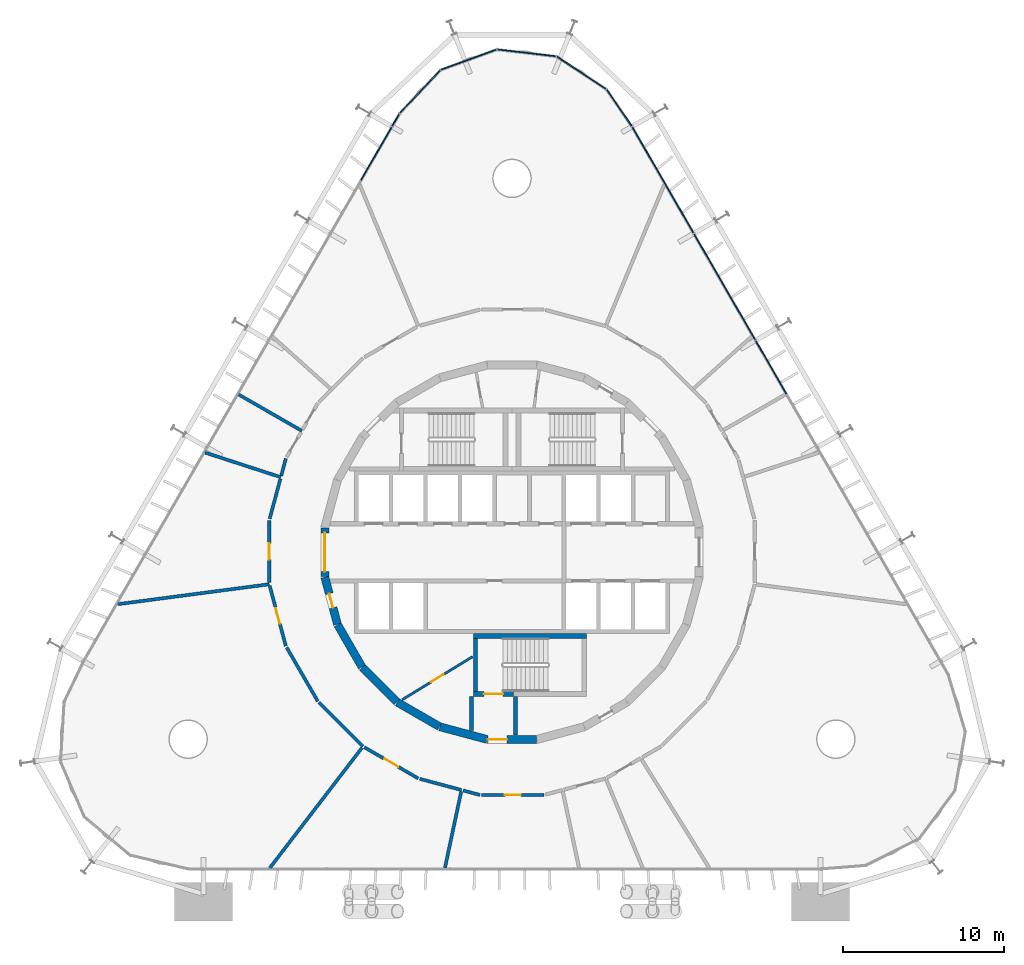
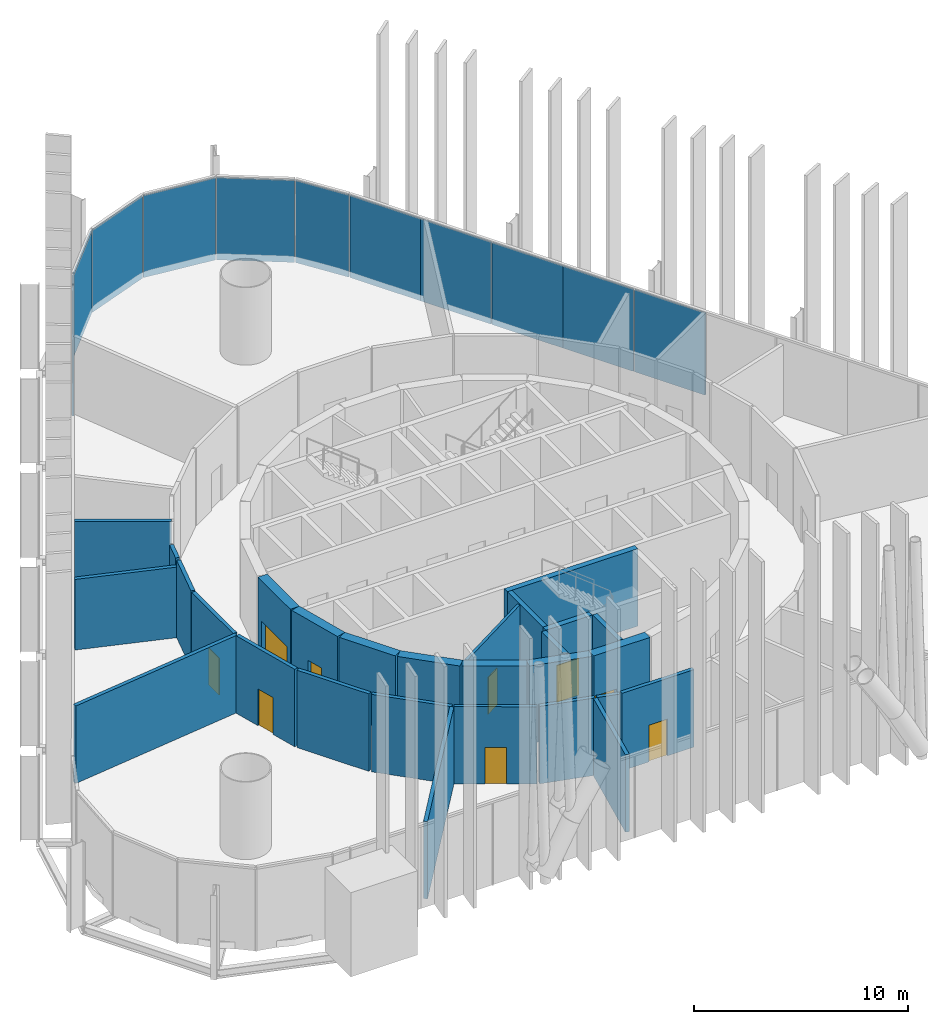
# One storey, part 13 of 17: 28 walls, 12 plates, 9 doors, 9 openings, 3 elements without a shape of their own.
"""IFC4 building model written with IfcOpenShell, lengths in metres."""

from ifc_helpers import new_model, si_unit, direction, frame, frame_2d, origin, origin_2d, place, context, subcontext, project, spatial, rectangle, extrude, material, layer, layer_set, type_object, element, fill, aggregate, save


model = new_model("IFC4")

# Units and contexts
model_context = context("Model", 3, precision=1e-05, world=origin(), true_north=direction((0.0, 1.0)))
body_context = subcontext(model_context, "Body", "Model", "MODEL_VIEW")
ifc_project = project(units=[si_unit("LENGTHUNIT", "METRE"), si_unit("AREAUNIT", "SQUARE_METRE"), si_unit("VOLUMEUNIT", "CUBIC_METRE"), si_unit("PLANEANGLEUNIT", "RADIAN"), si_unit("MASSUNIT", "GRAM", prefix="KILO")], contexts=[model_context])

# Site, building, storey
site_placement = place(None, origin())
site = spatial("IfcSite", under=ifc_project, at=site_placement, CompositionType="ELEMENT")
building_placement = place(site_placement, origin())
building = spatial("IfcBuilding", under=site, at=building_placement, Name="Spindle Arch Residences", CompositionType="ELEMENT")
storey_placement = place(building_placement, frame((0.0, 0.0, 18.60009765625)))
storey = spatial("IfcBuildingStorey", under=building, at=storey_placement, Name="L03", CompositionType="ELEMENT", Elevation=18.60009765625)

# Curtain wall, plates
ifc_material_1 = material(Name="Aluminium bronze unitised frame with tinted glass", Category="aluminium")
ifc_layer_1 = layer(ifc_material_1, 0.159912109375)
ifc_layer_set_1 = layer_set([ifc_layer_1], Name="CW-B amenity podium glazed wall")
curtain_wall_type_1 = type_object("IfcCurtainWallType", Name="CW-B amenity podium glazed wall", PredefinedType="NOTDEFINED", material=ifc_layer_set_1)
curtain_wall_1_placement = place(storey_placement, origin())
curtain_wall_1 = element("IfcCurtainWall", 1, at=curtain_wall_1_placement, inside=storey, type_object=curtain_wall_type_1, Name="CW-B L03 run 2", PredefinedType="NOTDEFINED")
ifc_material_2 = material(Name="Tinted double glazing over non-combustible spandrel zone with 0.55 mm stainless steel cavity fire stop (K0)", Category="steel")
ifc_layer_2 = layer(ifc_material_2, 0.070068359375)
ifc_layer_set_2 = layer_set([ifc_layer_2], Name="Unitised glass panel with spandrel zone and stainless cavity fire stop")
plate_type = type_object("IfcPlateType", Name="Unitised glass panel with spandrel zone and stainless cavity fire stop", PredefinedType="CURTAIN_PANEL", material=ifc_layer_set_2)
plate_1_placement = place(storey_placement, frame((16.11669921875, 11.504638671875, -0.3798828125), z_axis=(0.0, 0.0, 1.0), x_axis=(-0.5, 0.866025403784, 0.0)))
plate_1 = element("IfcPlate", 2, at=plate_1_placement, type_object=plate_type, Name="CW-B unit 07B", PredefinedType="CURTAIN_PANEL", context=body_context, shape_type="SweptSolid", body=[
    extrude(rectangle(XDim=3.81005859375, YDim=0.070068359375, at=origin_2d()), origin(), (0.0, 0.0, 1.0), 4.679931640625),
])
plate_2_placement = place(storey_placement, frame((14.181640625, 14.856201171875, -0.3798828125), z_axis=(0.0, 0.0, 1.0), x_axis=(-0.5, 0.866025403784, 0.0)))
plate_2 = element("IfcPlate", 3, at=plate_2_placement, type_object=plate_type, Name="CW-B unit 08A", PredefinedType="CURTAIN_PANEL", context=body_context, shape_type="SweptSolid", body=[
    extrude(rectangle(XDim=3.81005859375, YDim=0.070068359375, at=origin_2d()), origin(), (0.0, 0.0, 1.0), 4.679931640625),
])
plate_3_placement = place(storey_placement, frame((12.27685546875, 18.156005859375, -0.3798828125), z_axis=(0.0, 0.0, 1.0), x_axis=(-0.5, 0.866025403784, 0.0)))
plate_3 = element("IfcPlate", 4, at=plate_3_placement, type_object=plate_type, Name="CW-B unit 08B", PredefinedType="CURTAIN_PANEL", context=body_context, shape_type="SweptSolid", body=[
    extrude(rectangle(XDim=3.81005859375, YDim=0.070068359375, at=origin_2d()), origin(), (0.0, 0.0, 1.0), 4.679931640625),
])
plate_4_placement = place(storey_placement, frame((10.341796875, 21.50732421875, -0.3798828125), z_axis=(0.0, 0.0, 1.0), x_axis=(-0.5, 0.866025403784, 0.0)))
plate_4 = element("IfcPlate", 5, at=plate_4_placement, type_object=plate_type, Name="CW-B unit 09A", PredefinedType="CURTAIN_PANEL", context=body_context, shape_type="SweptSolid", body=[
    extrude(rectangle(XDim=3.81005859375, YDim=0.070068359375, at=origin_2d()), origin(), (0.0, 0.0, 1.0), 4.679931640625),
])
plate_5_placement = place(storey_placement, frame((8.436767578125, 24.80712890625, -0.3798828125), z_axis=(0.0, 0.0, 1.0), x_axis=(-0.5, 0.866025403784, 0.0)))
plate_5 = element("IfcPlate", 6, at=plate_5_placement, type_object=plate_type, Name="CW-B unit 09B", PredefinedType="CURTAIN_PANEL", context=body_context, shape_type="SweptSolid", body=[
    extrude(rectangle(XDim=3.81005859375, YDim=0.070068359375, at=origin_2d()), origin(), (0.0, 0.0, 1.0), 4.679931640625),
])
aggregate(curtain_wall_1, [plate_1, plate_2, plate_3, plate_4, plate_5])

ifc_material_3 = material(Name="Aluminium bronze unitised frame with tinted glass", Category="aluminium")
ifc_layer_3 = layer(ifc_material_3, 0.159912109375)
ifc_layer_set_3 = layer_set([ifc_layer_3], Name="CW-D corner wall on the fillet arcs")
curtain_wall_type_2 = type_object("IfcCurtainWallType", Name="CW-D corner wall on the fillet arcs", PredefinedType="NOTDEFINED", material=ifc_layer_set_3)
curtain_wall_2_placement = place(storey_placement, origin())
curtain_wall_2 = element("IfcCurtainWall", 7, at=curtain_wall_2_placement, inside=storey, type_object=curtain_wall_type_2, Name="CW-D L03 run 3", PredefinedType="NOTDEFINED")
plate_6_placement = place(storey_placement, frame((6.673095703125, 27.643798828125, -0.3798828125), z_axis=(0.0, 0.0, 1.0), x_axis=(-0.565500718711, 0.824747802142, 0.0)))
plate_6 = element("IfcPlate", 8, at=plate_6_placement, type_object=plate_type, Name="CW-D unit 00", PredefinedType="CURTAIN_PANEL", context=body_context, shape_type="SweptSolid", body=[
    extrude(rectangle(XDim=2.755126953125, YDim=0.070068359375, at=origin_2d()), origin(), (0.0, 0.0, 1.0), 4.679931640625),
])
plate_7_placement = place(storey_placement, frame((4.3203125, 29.82861328125, -0.3798828125), z_axis=(0.0, 0.0, 1.0), x_axis=(-0.835487811704, 0.549508977628, 0.0)))
plate_7 = element("IfcPlate", 9, at=plate_7_placement, type_object=plate_type, Name="CW-D unit 01", PredefinedType="CURTAIN_PANEL", context=body_context, shape_type="SweptSolid", body=[
    extrude(rectangle(XDim=3.666748046875, YDim=0.070068359375, at=origin_2d()), origin(), (0.0, 0.0, 1.0), 4.679931640625),
])
plate_8_placement = place(storey_placement, frame((0.912841796875, 31.06884765625, -0.3798828125), z_axis=(0.0, 0.0, 1.0), x_axis=(-0.993238357591, 0.116092915414, 0.0)))
plate_8 = element("IfcPlate", 10, at=plate_8_placement, type_object=plate_type, Name="CW-D unit 02", PredefinedType="CURTAIN_PANEL", context=body_context, shape_type="SweptSolid", body=[
    extrude(rectangle(XDim=3.666748046875, YDim=0.070068359375, at=origin_2d()), origin(), (0.0, 0.0, 1.0), 4.679931640625),
])
plate_9_placement = place(storey_placement, frame((-2.68896484375, 30.64794921875, -0.3798828125), z_axis=(0.0, 0.0, 1.0), x_axis=(-0.939692621437, -0.342020141538, 0.0)))
plate_9 = element("IfcPlate", 11, at=plate_9_placement, type_object=plate_type, Name="CW-D unit 03", PredefinedType="CURTAIN_PANEL", context=body_context, shape_type="SweptSolid", body=[
    extrude(rectangle(XDim=3.666748046875, YDim=0.070068359375, at=origin_2d()), origin(), (0.0, 0.0, 1.0), 4.679931640625),
])
plate_10_placement = place(storey_placement, frame((-5.71875, 28.6552734375, -0.3798828125), z_axis=(0.0, 0.0, 1.0), x_axis=(-0.686241639236, -0.727373640284, 0.0)))
plate_10 = element("IfcPlate", 12, at=plate_10_placement, type_object=plate_type, Name="CW-D unit 04", PredefinedType="CURTAIN_PANEL", context=body_context, shape_type="SweptSolid", body=[
    extrude(rectangle(XDim=3.666748046875, YDim=0.070068359375, at=origin_2d()), origin(), (0.0, 0.0, 1.0), 4.679931640625),
])
plate_11_placement = place(storey_placement, frame((-7.2333984375, 26.891357421875, -0.3798828125), z_axis=(0.0, 0.0, 1.0), x_axis=(-0.5, -0.866025403784, 0.0)))
plate_11 = element("IfcPlate", 13, at=plate_11_placement, type_object=plate_type, Name="CW-D unit 05", PredefinedType="CURTAIN_PANEL", context=body_context, shape_type="SweptSolid", body=[
    extrude(rectangle(XDim=0.88330078125, YDim=0.070068359375, at=origin_2d()), origin(), (0.0, 0.0, 1.0), 4.679931640625),
])
aggregate(curtain_wall_2, [plate_6, plate_7, plate_8, plate_9, plate_10, plate_11])

# Curtain wall, plate
curtain_wall_3_placement = place(storey_placement, origin())
curtain_wall_3 = element("IfcCurtainWall", 14, at=curtain_wall_3_placement, inside=storey, type_object=curtain_wall_type_1, Name="CW-B L03 run 4", PredefinedType="NOTDEFINED")
plate_12_placement = place(storey_placement, frame((-8.436767578125, 24.80712890625, -0.3798828125), z_axis=(0.0, 0.0, 1.0), x_axis=(-0.5, -0.866025403784, 0.0)))
plate_12 = element("IfcPlate", 15, at=plate_12_placement, type_object=plate_type, Name="CW-B unit 13A", PredefinedType="CURTAIN_PANEL", context=body_context, shape_type="SweptSolid", body=[
    extrude(rectangle(XDim=3.81005859375, YDim=0.070068359375, at=origin_2d()), origin(), (0.0, 0.0, 1.0), 4.679931640625),
])
aggregate(curtain_wall_3, [plate_12])

# Wall, opening, door
ifc_material_4 = material(Name="Concrete C50/60", Category="concrete")
ifc_layer_4 = layer(ifc_material_4, 0.5)
ifc_layer_set_4 = layer_set([ifc_layer_4], Name="Core outline wall 500")
wall_type_1 = type_object("IfcWallType", Name="Core outline wall 500", PredefinedType="SHEAR", material=ifc_layer_set_4)
wall_1_placement = place(storey_placement, frame((-11.647216796875, 1.516357421875, 0.0), z_axis=(0.0, 0.0, 1.0), x_axis=(0.0, -1.0, 0.0)))
wall_1 = element("IfcWall", 16, at=wall_1_placement, inside=storey, type_object=wall_type_1, Name="Core outline wall 18", PredefinedType="SHEAR", context=body_context, shape_type="SweptSolid", body=[
    extrude(rectangle(XDim=3.03271484375, YDim=0.5, at=frame_2d((1.516357421875, 0.0))), origin(), (0.0, 0.0, 1.0), 4.419921875),
])
opening_1_placement = place(wall_1_placement, frame((0.31640625, 0.0, 0.0)))
opening_1 = element("IfcOpeningElement", 17, at=opening_1_placement, cuts=wall_1, Name="Opening L03-LE01", PredefinedType="OPENING", context=body_context, shape_type="SweptSolid", body=[
    extrude(rectangle(XDim=2.39990234375, YDim=2.10009765625, at=frame_2d((1.199951171875, 1.050048828125))), frame((0.0, 0.260009765625, 0.0), z_axis=(0.0, -1.0, 0.0), x_axis=(1.0, 0.0, 0.0)), (0.0, 0.0, 1.0), 0.52001953125),
])
ifc_material_5 = material(Name="Steel, fire-resisting door", Category="steel")
door_type_1 = type_object("IfcDoorType", Name="Lift lobby entrance door 2400x2100", OperationType="DOUBLE_DOOR_SINGLE_SWING", PredefinedType="DOOR", material=ifc_material_5)
door_1_placement = place(opening_1_placement, origin())
door_1 = element("IfcDoor", 18, at=door_1_placement, inside=storey, type_object=door_type_1, Name="Lift lobby entrance door L03-LE01", OperationType="DOUBLE_DOOR_SINGLE_SWING", OverallHeight=2.10009765625, OverallWidth=2.39990234375, PredefinedType="DOOR", context=body_context, shape_type="SweptSolid", body=[
    extrude(rectangle(XDim=2.39990234375, YDim=2.10009765625, at=frame_2d((1.199951171875, 1.050048828125))), frame((0.0, 0.02490234375, 0.0), z_axis=(0.0, -1.0, 0.0), x_axis=(1.0, 0.0, 0.0)), (0.0, 0.0, 1.0), 0.050048828125),
])
fill(opening_1, door_1)

wall_2_placement = place(storey_placement, frame((-11.642822265625, -1.5498046875, 0.0), z_axis=(0.0, 0.0, 1.0), x_axis=(0.258734743916, -0.965948410781, 0.0)))
wall_2 = element("IfcWall", 19, at=wall_2_placement, inside=storey, type_object=wall_type_1, Name="Core outline wall 19", PredefinedType="SHEAR", context=body_context, shape_type="SweptSolid", body=[
    extrude(rectangle(XDim=3.03271484375, YDim=0.5, at=frame_2d((1.516357421875, 0.0))), origin(), (0.0, 0.0, 1.0), 4.419921875),
])
opening_2_placement = place(wall_2_placement, frame((1.06640625, 0.0, 0.0)))
opening_2 = element("IfcOpeningElement", 20, at=opening_2_placement, cuts=wall_2, Name="Opening L03-WD09", PredefinedType="OPENING", context=body_context, shape_type="SweptSolid", body=[
    extrude(rectangle(XDim=0.89990234375, YDim=2.10009765625, at=frame_2d((0.449951171875, 1.050048828125))), frame((0.0, 0.260009765625, 0.0), z_axis=(0.0, -1.0, 0.0), x_axis=(1.0, 0.0, 0.0)), (0.0, 0.0, 1.0), 0.52001953125),
])
ifc_material_6 = material(Name="Steel, fire-resisting door", Category="steel")
door_type_2 = type_object("IfcDoorType", Name="Service room door 900x2100", OperationType="SINGLE_SWING_LEFT", PredefinedType="DOOR", material=ifc_material_6)
door_2_placement = place(opening_2_placement, origin())
door_2 = element("IfcDoor", 21, at=door_2_placement, inside=storey, type_object=door_type_2, Name="Service room door L03-WD09", OperationType="SINGLE_SWING_RIGHT", OverallHeight=2.10009765625, OverallWidth=0.89990234375, PredefinedType="DOOR", context=body_context, shape_type="SweptSolid", body=[
    extrude(rectangle(XDim=0.89990234375, YDim=2.10009765625, at=frame_2d((0.449951171875, 1.050048828125))), frame((0.0, 0.02490234375, 0.0), z_axis=(0.0, -1.0, 0.0), x_axis=(1.0, 0.0, 0.0)), (0.0, 0.0, 1.0), 0.050048828125),
])
fill(opening_2, door_2)

# Walls
wall_3_placement = place(storey_placement, frame((-10.84521484375, -4.510498046875, 0.0), z_axis=(0.0, 0.0, 1.0), x_axis=(0.500087131594, -0.865975092491, 0.0)))
element("IfcWall", 22, at=wall_3_placement, inside=storey, type_object=wall_type_1, Name="Core outline wall 20", PredefinedType="SHEAR", context=body_context, shape_type="SweptSolid", body=[
    extrude(rectangle(XDim=3.03271484375, YDim=0.5, at=frame_2d((1.516357421875, 0.0))), origin(), (0.0, 0.0, 1.0), 4.419921875),
])
wall_4_placement = place(storey_placement, frame((-9.30810546875, -7.163818359375, 0.0), z_axis=(0.0, 0.0, 1.0), x_axis=(0.707106781187, -0.707106781187, 0.0)))
element("IfcWall", 23, at=wall_4_placement, inside=storey, type_object=wall_type_1, Name="Core outline wall 21", PredefinedType="SHEAR", context=body_context, shape_type="SweptSolid", body=[
    extrude(rectangle(XDim=3.032470703125, YDim=0.5, at=frame_2d((1.51611328125, 0.0))), origin(), (0.0, 0.0, 1.0), 4.419921875),
])
for number, where, z_axis, x_axis, name in (
    (24, (-7.13671875, -9.32861328125, 0.0), (0.0, 0.0, 1.0), (0.865975092491, -0.500087131594, 0.0), "Core outline wall 22"),
    (25, (-4.479248046875, -10.858154296875, 0.0), (0.0, 0.0, 1.0), (0.965948410781, -0.258734743916, 0.0), "Core outline wall 23"),
):
    element("IfcWall", number, at=place(storey_placement, frame(where, z_axis=z_axis, x_axis=x_axis)), inside=storey, type_object=wall_type_1, Name=name, PredefinedType="SHEAR", context=body_context, shape_type="SweptSolid", body=[
        extrude(rectangle(XDim=3.03271484375, YDim=0.5, at=frame_2d((1.516357421875, 0.0))), origin(), (0.0, 0.0, 1.0), 4.419921875),
    ])

# Wall, opening, door
wall_5_placement = place(storey_placement, frame((-1.516357421875, -11.647216796875, 0.0), z_axis=(0.0, 0.0, 1.0), x_axis=(1.0, 0.0, 0.0)))
wall_5 = element("IfcWall", 26, at=wall_5_placement, inside=storey, type_object=wall_type_1, Name="Core outline wall 24", PredefinedType="SHEAR", context=body_context, shape_type="SweptSolid", body=[
    extrude(rectangle(XDim=3.03271484375, YDim=0.5, at=frame_2d((1.516357421875, 0.0))), origin(), (0.0, 0.0, 1.0), 4.419921875),
])
opening_3_placement = place(wall_5_placement, frame((0.016357421875, 0.0, 0.0)))
opening_3 = element("IfcOpeningElement", 27, at=opening_3_placement, cuts=wall_5, Name="Opening L03-AD03", PredefinedType="OPENING", context=body_context, shape_type="SweptSolid", body=[
    extrude(rectangle(XDim=1.199951171875, YDim=2.10009765625, at=frame_2d((0.60009765625, 1.050048828125))), frame((0.0, 0.260009765625, 0.0), z_axis=(0.0, -1.0, 0.0), x_axis=(1.0, 0.0, 0.0)), (0.0, 0.0, 1.0), 0.52001953125),
])
ifc_material_7 = material(Name="Steel, fire-resisting door", Category="steel")
door_type_3 = type_object("IfcDoorType", Name="Stair airlock door 1200x2100", OperationType="SINGLE_SWING_LEFT", PredefinedType="DOOR", material=ifc_material_7)
door_3_placement = place(opening_3_placement, origin())
door_3 = element("IfcDoor", 28, at=door_3_placement, inside=storey, type_object=door_type_3, Name="Stair airlock door L03-AD03", OperationType="SINGLE_SWING_RIGHT", OverallHeight=2.10009765625, OverallWidth=1.199951171875, PredefinedType="DOOR", context=body_context, shape_type="SweptSolid", body=[
    extrude(rectangle(XDim=1.199951171875, YDim=2.10009765625, at=frame_2d((0.60009765625, 1.050048828125))), frame((0.0, 0.02490234375, 0.0), z_axis=(0.0, -1.0, 0.0), x_axis=(1.0, 0.0, 0.0)), (0.0, 0.0, 1.0), 0.050048828125),
])
fill(opening_3, door_3)

# Wall
ifc_material_8 = material(Name="Gypsum board partition on steel studs", Category="steel")
ifc_layer_5 = layer(ifc_material_8, 0.199951171875)
ifc_layer_set_5 = layer_set([ifc_layer_5], Name="Partition EI 60 200 amenity")
wall_type_2 = type_object("IfcWallType", Name="Partition EI 60 200 amenity", PredefinedType="PARTITIONING", material=ifc_layer_set_5)
wall_6_placement = place(storey_placement, frame((-15.10009765625, -1.989990234375, 0.0), z_axis=(0.0, 0.0, 1.0), x_axis=(-0.99146503856, -0.130372839634, 0.0)))
element("IfcWall", 29, at=wall_6_placement, inside=storey, type_object=wall_type_2, Name="L03-W001", PredefinedType="PARTITIONING", context=body_context, shape_type="SweptSolid", body=[
    extrude(rectangle(XDim=9.51123046875, YDim=0.199951171875, at=frame_2d((4.755615234375, 0.0))), origin(), (0.0, 0.0, 1.0), 4.419921875),
])

# Wall, opening, door
wall_7_placement = place(storey_placement, frame((-15.073974609375, -2.086669921875, 0.0), z_axis=(0.0, 0.0, 1.0), x_axis=(0.259026804199, -0.965870133458, 0.0)))
wall_7 = element("IfcWall", 30, at=wall_7_placement, inside=storey, type_object=wall_type_2, Name="L03-W002", PredefinedType="PARTITIONING", context=body_context, shape_type="SweptSolid", body=[
    extrude(rectangle(XDim=3.875732421875, YDim=0.199951171875, at=frame_2d((1.93798828125, 0.0))), origin(), (0.0, 0.0, 1.0), 4.419921875),
])
opening_4_placement = place(wall_7_placement, frame((1.43798828125, 0.0, 0.0)))
opening_4 = element("IfcOpeningElement", 31, at=opening_4_placement, cuts=wall_7, Name="Opening L03-D06", PredefinedType="OPENING", context=body_context, shape_type="SweptSolid", body=[
    extrude(rectangle(XDim=1.0, YDim=2.10009765625, at=frame_2d((0.5, 1.050048828125))), frame((0.0, 0.10986328125, 0.0), z_axis=(0.0, -1.0, 0.0), x_axis=(1.0, 0.0, 0.0)), (0.0, 0.0, 1.0), 0.219970703125),
])
ifc_material_9 = material(Name="Timber door leaf", Category="wood")
door_type_4 = type_object("IfcDoorType", Name="Door 1000x2100 EI 30", OperationType="SINGLE_SWING_LEFT", PredefinedType="DOOR", material=ifc_material_9)
door_4_placement = place(opening_4_placement, origin())
door_4 = element("IfcDoor", 32, at=door_4_placement, inside=storey, type_object=door_type_4, Name="L03-D06", OperationType="SINGLE_SWING_LEFT", OverallHeight=2.10009765625, OverallWidth=1.0, PredefinedType="DOOR", context=body_context, shape_type="SweptSolid", body=[
    extrude(rectangle(XDim=1.0, YDim=2.10009765625, at=frame_2d((0.5, 1.050048828125))), frame((0.0, 0.02490234375, 0.0), z_axis=(0.0, -1.0, 0.0), x_axis=(1.0, 0.0, 0.0)), (0.0, 0.0, 1.0), 0.050048828125),
])
fill(opening_4, door_4)

wall_8_placement = place(storey_placement, frame((-15.10009765625, 1.989990234375, 0.0), z_axis=(0.0, 0.0, 1.0), x_axis=(0.0, -1.0, 0.0)))
wall_8 = element("IfcWall", 33, at=wall_8_placement, inside=storey, type_object=wall_type_2, Name="L03-W003", PredefinedType="PARTITIONING", context=body_context, shape_type="SweptSolid", body=[
    extrude(rectangle(XDim=3.8798828125, YDim=0.199951171875, at=frame_2d((1.93994140625, 0.0))), origin(), (0.0, 0.0, 1.0), 4.419921875),
])
opening_5_placement = place(wall_8_placement, frame((1.43994140625, 0.0, 0.0)))
opening_5 = element("IfcOpeningElement", 34, at=opening_5_placement, cuts=wall_8, Name="Opening L03-D08", PredefinedType="OPENING", context=body_context, shape_type="SweptSolid", body=[
    extrude(rectangle(XDim=1.0, YDim=2.10009765625, at=frame_2d((0.5, 1.050048828125))), frame((0.0, 0.10986328125, 0.0), z_axis=(0.0, -1.0, 0.0), x_axis=(1.0, 0.0, 0.0)), (0.0, 0.0, 1.0), 0.219970703125),
])
door_5_placement = place(opening_5_placement, origin())
door_5 = element("IfcDoor", 35, at=door_5_placement, inside=storey, type_object=door_type_4, Name="L03-D08", OperationType="SINGLE_SWING_LEFT", OverallHeight=2.10009765625, OverallWidth=1.0, PredefinedType="DOOR", context=body_context, shape_type="SweptSolid", body=[
    extrude(rectangle(XDim=1.0, YDim=2.10009765625, at=frame_2d((0.5, 1.050048828125))), frame((0.0, 0.02490234375, 0.0), z_axis=(0.0, -1.0, 0.0), x_axis=(1.0, 0.0, 0.0)), (0.0, 0.0, 1.0), 0.050048828125),
])
fill(opening_5, door_5)

# Walls
wall_9_placement = place(storey_placement, frame((-14.3798828125, 4.669921875, 0.0), z_axis=(0.0, 0.0, 1.0), x_axis=(-0.951080790776, 0.308942275219, 0.0)))
element("IfcWall", 36, at=wall_9_placement, inside=storey, type_object=wall_type_2, Name="L03-W004", PredefinedType="PARTITIONING", context=body_context, shape_type="SweptSolid", body=[
    extrude(rectangle(XDim=4.952392578125, YDim=0.199951171875, at=frame_2d((2.47607421875, 0.0))), origin(), (0.0, 0.0, 1.0), 4.02978515625),
])
wall_10_placement = place(storey_placement, frame((-14.406005859375, 4.573486328125, 0.0), z_axis=(0.0, 0.0, 1.0), x_axis=(-0.259408996071, -0.965767556277, 0.0)))
element("IfcWall", 37, at=wall_10_placement, inside=storey, type_object=wall_type_2, Name="L03-W005", PredefinedType="PARTITIONING", context=body_context, shape_type="SweptSolid", body=[
    extrude(rectangle(XDim=2.574951171875, YDim=0.199951171875, at=frame_2d((1.28759765625, 0.0))), origin(), (0.0, 0.0, 1.0), 4.419921875),
])
wall_11_placement = place(storey_placement, frame((-14.02001953125, -5.91650390625, 0.0), z_axis=(0.0, 0.0, 1.0), x_axis=(0.500733182901, -0.865601686425, 0.0)))
element("IfcWall", 38, at=wall_11_placement, inside=storey, type_object=wall_type_2, Name="L03-W006", PredefinedType="PARTITIONING", context=body_context, shape_type="SweptSolid", body=[
    extrude(rectangle(XDim=3.874267578125, YDim=0.199951171875, at=frame_2d((1.93701171875, 0.0))), origin(), (0.0, 0.0, 1.0), 4.419921875),
])
wall_12_placement = place(storey_placement, frame((-14.070068359375, 5.830078125, 0.0), z_axis=(0.0, 0.0, 1.0), x_axis=(-0.258159565639, -0.966102292032, 0.0)))
element("IfcWall", 39, at=wall_12_placement, inside=storey, type_object=wall_type_2, Name="L03-W007", PredefinedType="PARTITIONING", context=body_context, shape_type="SweptSolid", body=[
    extrude(rectangle(XDim=1.100830078125, YDim=0.199951171875, at=frame_2d((0.55029296875, 0.0))), origin(), (0.0, 0.0, 1.0), 4.419921875),
])
wall_13_placement = place(storey_placement, frame((-13.070068359375, 7.550048828125, 0.0), z_axis=(0.0, 0.0, 1.0), x_axis=(-0.866877794005, 0.498520701938, 0.0)))
element("IfcWall", 40, at=wall_13_placement, inside=storey, type_object=wall_type_2, Name="L03-W008", PredefinedType="PARTITIONING", context=body_context, shape_type="SweptSolid", body=[
    extrude(rectangle(XDim=4.533447265625, YDim=0.199951171875, at=frame_2d((2.2666015625, 0.0))), origin(), (0.0, 0.0, 1.0), 4.419921875),
])
wall_14_placement = place(storey_placement, frame((-12.00927734375, -9.3408203125, 0.0), z_axis=(0.0, 0.0, 1.0), x_axis=(0.707106781187, -0.707106781187, 0.0)))
element("IfcWall", 41, at=wall_14_placement, inside=storey, type_object=wall_type_2, Name="L03-W010", PredefinedType="PARTITIONING", context=body_context, shape_type="SweptSolid", body=[
    extrude(rectangle(XDim=3.873779296875, YDim=0.199951171875, at=frame_2d((1.93701171875, 0.0))), origin(), (0.0, 0.0, 1.0), 4.419921875),
])
wall_15_placement = place(storey_placement, frame((-9.330810546875, -12.159423828125, 0.0), z_axis=(0.0, 0.0, 1.0), x_axis=(-0.608558385637, -0.793509099677, 0.0)))
element("IfcWall", 42, at=wall_15_placement, inside=storey, type_object=wall_type_2, Name="L03-W014", PredefinedType="PARTITIONING", context=body_context, shape_type="SweptSolid", body=[
    extrude(rectangle(XDim=9.41455078125, YDim=0.199951171875, at=frame_2d((4.707275390625, 0.0))), origin(), (0.0, 0.0, 1.0), 4.419921875),
])

# Wall, opening, door
wall_16_placement = place(storey_placement, frame((-9.183349609375, -12.130126953125, 0.0), z_axis=(0.0, 0.0, 1.0), x_axis=(0.865585884642, -0.500760497952, 0.0)))
wall_16 = element("IfcWall", 43, at=wall_16_placement, inside=storey, type_object=wall_type_2, Name="L03-W015", PredefinedType="PARTITIONING", context=body_context, shape_type="SweptSolid", body=[
    extrude(rectangle(XDim=3.8740234375, YDim=0.199951171875, at=frame_2d((1.93701171875, 0.0))), origin(), (0.0, 0.0, 1.0), 4.419921875),
])
opening_6_placement = place(wall_16_placement, frame((1.43701171875, 0.0, 0.0)))
opening_6 = element("IfcOpeningElement", 44, at=opening_6_placement, cuts=wall_16, Name="Opening L03-D03", PredefinedType="OPENING", context=body_context, shape_type="SweptSolid", body=[
    extrude(rectangle(XDim=1.0, YDim=2.10009765625, at=frame_2d((0.5, 1.050048828125))), frame((0.0, 0.10986328125, 0.0), z_axis=(0.0, -1.0, 0.0), x_axis=(1.0, 0.0, 0.0)), (0.0, 0.0, 1.0), 0.219970703125),
])
door_6_placement = place(opening_6_placement, origin())
door_6 = element("IfcDoor", 45, at=door_6_placement, inside=storey, type_object=door_type_4, Name="L03-D03", OperationType="SINGLE_SWING_LEFT", OverallHeight=2.10009765625, OverallWidth=1.0, PredefinedType="DOOR", context=body_context, shape_type="SweptSolid", body=[
    extrude(rectangle(XDim=1.0, YDim=2.10009765625, at=frame_2d((0.5, 1.050048828125))), frame((0.0, 0.02490234375, 0.0), z_axis=(0.0, -1.0, 0.0), x_axis=(1.0, 0.0, 0.0)), (0.0, 0.0, 1.0), 0.050048828125),
])
fill(opening_6, door_6)

# Walls
wall_17_placement = place(storey_placement, frame((-5.7333984375, -14.095947265625, 0.0), z_axis=(0.0, 0.0, 1.0), x_axis=(0.966003629213, -0.25852850587, 0.0)))
element("IfcWall", 46, at=wall_17_placement, inside=storey, type_object=wall_type_2, Name="L03-W017", PredefinedType="PARTITIONING", context=body_context, shape_type="SweptSolid", body=[
    extrude(rectangle(XDim=2.684814453125, YDim=0.199951171875, at=frame_2d((1.34228515625, 0.0))), origin(), (0.0, 0.0, 1.0), 4.419921875),
])
wall_18_placement = place(storey_placement, frame((-3.160888671875, -14.8876953125, 0.0), z_axis=(0.0, 0.0, 1.0), x_axis=(-0.208118919353, -0.978103530005, 0.0)))
element("IfcWall", 47, at=wall_18_placement, inside=storey, type_object=wall_type_2, Name="L03-W020", PredefinedType="PARTITIONING", context=body_context, shape_type="SweptSolid", body=[
    extrude(rectangle(XDim=4.848388671875, YDim=0.199951171875, at=frame_2d((2.42431640625, 0.0))), origin(), (0.0, 0.0, 1.0), 4.419921875),
])
wall_19_placement = place(storey_placement, frame((-3.04345703125, -14.81591796875, 0.0), z_axis=(0.0, 0.0, 1.0), x_axis=(0.965488181203, -0.260446869738, 0.0)))
element("IfcWall", 48, at=wall_19_placement, inside=storey, type_object=wall_type_2, Name="L03-W021", PredefinedType="PARTITIONING", context=body_context, shape_type="SweptSolid", body=[
    extrude(rectangle(XDim=1.091064453125, YDim=0.199951171875, at=frame_2d((0.54541015625, 0.0))), origin(), (0.0, 0.0, 1.0), 4.419921875),
])

# Wall, opening, door
wall_20_placement = place(storey_placement, frame((-1.889892578125, -15.10009765625, 0.0), z_axis=(0.0, 0.0, 1.0), x_axis=(1.0, 0.0, 0.0)))
wall_20 = element("IfcWall", 49, at=wall_20_placement, inside=storey, type_object=wall_type_2, Name="L03-W022", PredefinedType="PARTITIONING", context=body_context, shape_type="SweptSolid", body=[
    extrude(rectangle(XDim=3.8798828125, YDim=0.199951171875, at=frame_2d((1.93994140625, 0.0))), origin(), (0.0, 0.0, 1.0), 4.419921875),
])
opening_7_placement = place(wall_20_placement, frame((1.43994140625, 0.0, 0.0)))
opening_7 = element("IfcOpeningElement", 50, at=opening_7_placement, cuts=wall_20, Name="Opening L03-D01", PredefinedType="OPENING", context=body_context, shape_type="SweptSolid", body=[
    extrude(rectangle(XDim=1.0, YDim=2.10009765625, at=frame_2d((0.5, 1.050048828125))), frame((0.0, 0.10986328125, 0.0), z_axis=(0.0, -1.0, 0.0), x_axis=(1.0, 0.0, 0.0)), (0.0, 0.0, 1.0), 0.219970703125),
])
door_7_placement = place(opening_7_placement, origin())
door_7 = element("IfcDoor", 51, at=door_7_placement, inside=storey, type_object=door_type_4, Name="L03-D01", OperationType="SINGLE_SWING_LEFT", OverallHeight=2.10009765625, OverallWidth=1.0, PredefinedType="DOOR", context=body_context, shape_type="SweptSolid", body=[
    extrude(rectangle(XDim=1.0, YDim=2.10009765625, at=frame_2d((0.5, 1.050048828125))), frame((0.0, 0.02490234375, 0.0), z_axis=(0.0, -1.0, 0.0), x_axis=(1.0, 0.0, 0.0)), (0.0, 0.0, 1.0), 0.050048828125),
])
fill(opening_7, door_7)

ifc_material_10 = material(Name="Concrete C25/30", Category="concrete")
ifc_layer_6 = layer(ifc_material_10, 0.14990234375)
ifc_layer_set_6 = layer_set([ifc_layer_6], Name="Service room partition 150")
wall_type_3 = type_object("IfcWallType", Name="Service room partition 150", PredefinedType="PARTITIONING", material=ifc_layer_set_6)
wall_21_placement = place(storey_placement, frame((-2.451171875, -6.49462890625, 0.0), z_axis=(0.0, 0.0, 1.0), x_axis=(-0.853250115418, -0.521501908471, 0.0)))
wall_21 = element("IfcWall", 52, at=wall_21_placement, inside=storey, type_object=wall_type_3, Name="Core service room partition", PredefinedType="PARTITIONING", context=body_context, shape_type="SweptSolid", body=[
    extrude(rectangle(XDim=5.137451171875, YDim=0.14990234375, at=frame_2d((2.56884765625, 0.0))), origin(), (0.0, 0.0, 1.0), 4.419921875),
])
opening_8_placement = place(wall_21_placement, frame((2.11865234375, 0.0, 0.0)))
opening_8 = element("IfcOpeningElement", 53, at=opening_8_placement, cuts=wall_21, Name="Opening L03-WD05", PredefinedType="OPENING", context=body_context, shape_type="SweptSolid", body=[
    extrude(rectangle(XDim=0.89990234375, YDim=2.10009765625, at=frame_2d((0.449951171875, 1.050048828125))), frame((0.0, 0.0849609375, 0.0), z_axis=(0.0, -1.0, 0.0), x_axis=(1.0, 0.0, 0.0)), (0.0, 0.0, 1.0), 0.169921875),
])
door_8_placement = place(opening_8_placement, origin())
door_8 = element("IfcDoor", 54, at=door_8_placement, inside=storey, type_object=door_type_2, Name="Service room door L03-WD05", OperationType="SINGLE_SWING_RIGHT", OverallHeight=2.10009765625, OverallWidth=0.89990234375, PredefinedType="DOOR", context=body_context, shape_type="SweptSolid", body=[
    extrude(rectangle(XDim=0.89990234375, YDim=2.10009765625, at=frame_2d((0.449951171875, 1.050048828125))), frame((0.0, 0.02490234375, 0.0), z_axis=(0.0, -1.0, 0.0), x_axis=(1.0, 0.0, 0.0)), (0.0, 0.0, 1.0), 0.050048828125),
])
fill(opening_8, door_8)

# Walls
ifc_material_11 = material(Name="Concrete C40/50", Category="concrete")
ifc_layer_7 = layer(ifc_material_11, 0.25)
ifc_layer_set_7 = layer_set([ifc_layer_7], Name="Stair airlock wall 250")
wall_type_4 = type_object("IfcWallType", Name="Stair airlock wall 250", PredefinedType="SHEAR", material=ifc_layer_set_7)
wall_22_placement = place(storey_placement, frame((-2.52490234375, -8.969970703125, 0.0), z_axis=(0.0, 0.0, 1.0), x_axis=(0.0, -1.0, 0.0)))
element("IfcWall", 55, at=wall_22_placement, inside=storey, type_object=wall_type_4, Name="Stair ST-3 airlock wall W", PredefinedType="SHEAR", context=body_context, shape_type="SweptSolid", body=[
    extrude(rectangle(XDim=2.110107421875, YDim=0.25, at=frame_2d((1.05517578125, 0.0))), origin(), (0.0, 0.0, 1.0), 4.419921875),
])
wall_23_placement = place(storey_placement, frame((0.22509765625, -8.969970703125, 0.0), z_axis=(0.0, 0.0, 1.0), x_axis=(0.0, -1.0, 0.0)))
element("IfcWall", 56, at=wall_23_placement, inside=storey, type_object=wall_type_4, Name="Stair ST-3 airlock wall E", PredefinedType="SHEAR", context=body_context, shape_type="SweptSolid", body=[
    extrude(rectangle(XDim=2.409912109375, YDim=0.25, at=frame_2d((1.205078125, 0.0))), origin(), (0.0, 0.0, 1.0), 4.419921875),
])
ifc_material_12 = material(Name="Concrete C50/60", Category="concrete")
ifc_layer_8 = layer(ifc_material_12, 0.25)
ifc_layer_set_8 = layer_set([ifc_layer_8], Name="Stair enclosure wall 250")
wall_type_5 = type_object("IfcWallType", Name="Stair enclosure wall 250", PredefinedType="SHEAR", material=ifc_layer_set_8)
wall_24_placement = place(storey_placement, frame((-2.27490234375, -8.669921875, 0.0), z_axis=(0.0, 0.0, 1.0), x_axis=(0.0, 1.0, 0.0)))
element("IfcWall", 57, at=wall_24_placement, inside=storey, type_object=wall_type_5, Name="Stair ST-3 enclosure wall W", PredefinedType="SHEAR", context=body_context, shape_type="SweptSolid", body=[
    extrude(rectangle(XDim=3.31982421875, YDim=0.25, at=frame_2d((1.659912109375, 0.0))), origin(), (0.0, 0.0, 1.0), 4.419921875),
])
ifc_material_13 = material(Name="Concrete C50/60", Category="concrete")
ifc_layer_9 = layer(ifc_material_13, 0.300048828125)
ifc_layer_set_9 = layer_set([ifc_layer_9], Name="Stair enclosure wall 300")
wall_type_6 = type_object("IfcWallType", Name="Stair enclosure wall 300", PredefinedType="SHEAR", material=ifc_layer_set_9)
wall_25_placement = place(storey_placement, frame((-2.39990234375, -5.199951171875, 0.0), z_axis=(0.0, 0.0, 1.0), x_axis=(1.0, 0.0, 0.0)))
element("IfcWall", 58, at=wall_25_placement, inside=storey, type_object=wall_type_6, Name="Stair ST-3 enclosure wall N", PredefinedType="SHEAR", context=body_context, shape_type="SweptSolid", body=[
    extrude(rectangle(XDim=7.0498046875, YDim=0.300048828125, at=frame_2d((3.52490234375, 0.0))), origin(), (0.0, 0.0, 1.0), 4.419921875),
])

# Wall, opening, door
wall_26_placement = place(storey_placement, frame((-2.39990234375, -8.820068359375, 0.0), z_axis=(0.0, 0.0, 1.0), x_axis=(1.0, 0.0, 0.0)))
wall_26 = element("IfcWall", 59, at=wall_26_placement, inside=storey, type_object=wall_type_6, Name="Stair ST-3 door wall", PredefinedType="SHEAR", context=body_context, shape_type="SweptSolid", body=[
    extrude(rectangle(XDim=2.5, YDim=0.300048828125, at=frame_2d((1.25, 0.0))), origin(), (0.0, 0.0, 1.0), 4.419921875),
])
opening_9_placement = place(wall_26_placement, frame((0.64990234375, 0.0, 0.0)))
opening_9 = element("IfcOpeningElement", 60, at=opening_9_placement, cuts=wall_26, Name="Opening L03-SD03", PredefinedType="OPENING", context=body_context, shape_type="SweptSolid", body=[
    extrude(rectangle(XDim=1.199951171875, YDim=2.10009765625, at=frame_2d((0.60009765625, 1.050048828125))), frame((0.0, 0.16015625, 0.0), z_axis=(0.0, -1.0, 0.0), x_axis=(1.0, 0.0, 0.0)), (0.0, 0.0, 1.0), 0.320068359375),
])
ifc_material_14 = material(Name="Steel, fire-resisting door", Category="steel")
door_type_5 = type_object("IfcDoorType", Name="Stair door 1200x2100", OperationType="SINGLE_SWING_RIGHT", PredefinedType="DOOR", material=ifc_material_14)
door_9_placement = place(opening_9_placement, origin())
door_9 = element("IfcDoor", 61, at=door_9_placement, inside=storey, type_object=door_type_5, Name="Stair door L03-SD03", OperationType="SINGLE_SWING_LEFT", OverallHeight=2.10009765625, OverallWidth=1.199951171875, PredefinedType="DOOR", context=body_context, shape_type="SweptSolid", body=[
    extrude(rectangle(XDim=1.199951171875, YDim=2.10009765625, at=frame_2d((0.60009765625, 1.050048828125))), frame((0.0, 0.02490234375, 0.0), z_axis=(0.0, -1.0, 0.0), x_axis=(1.0, 0.0, 0.0)), (0.0, 0.0, 1.0), 0.050048828125),
])
fill(opening_9, door_9)

save(model, "model.ifc")
